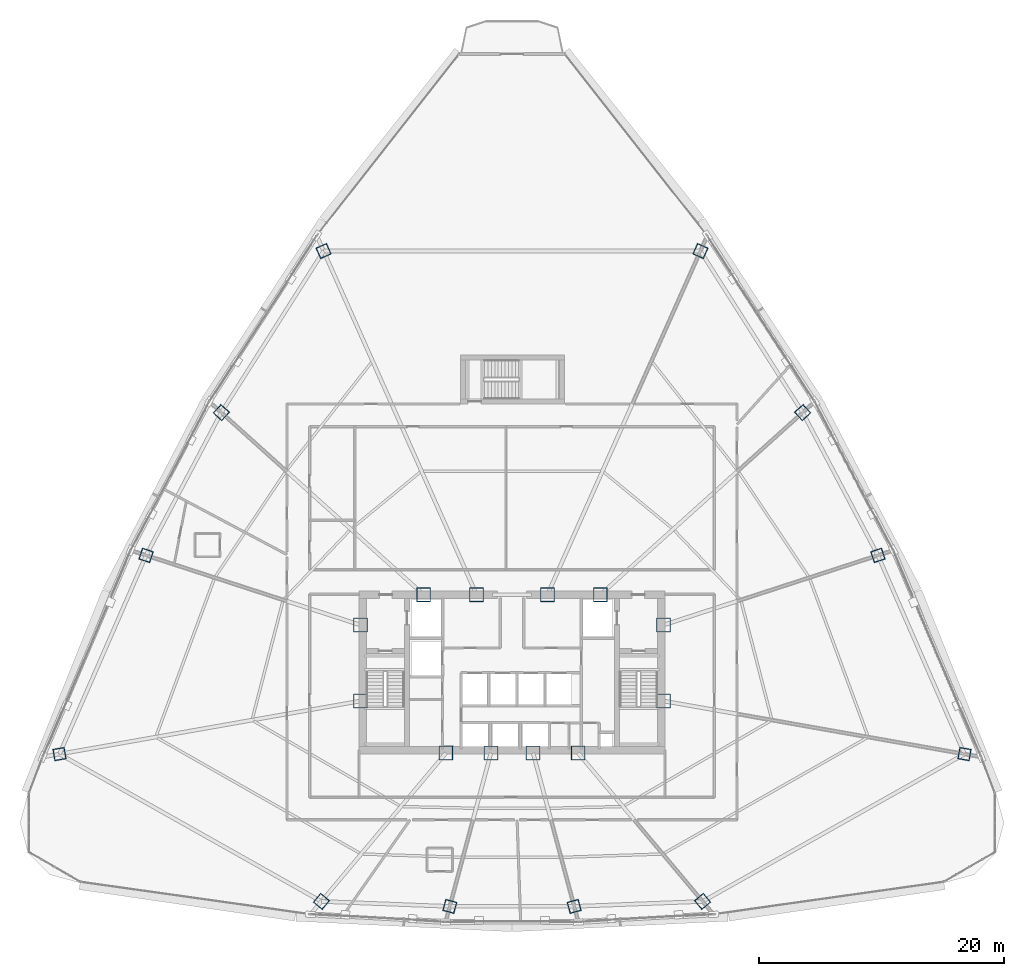
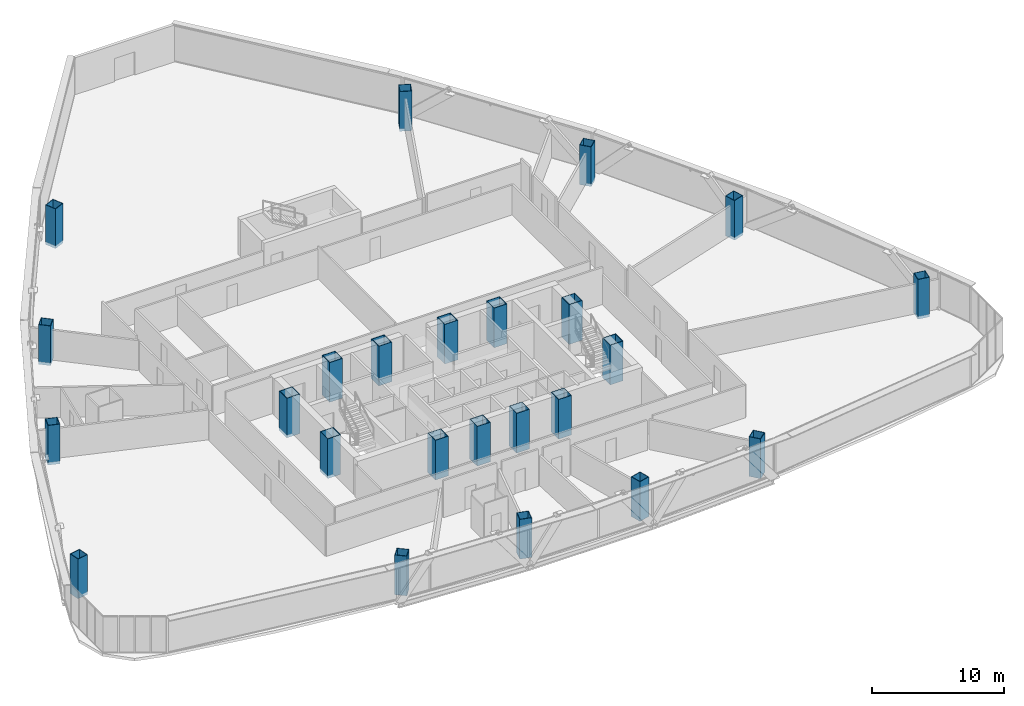
# One storey, part 1 of 40: 24 columns.
"""IFC4 building model written with IfcOpenShell, lengths in metres."""

from ifc_helpers import new_model, si_unit, direction, frame, origin, origin_2d, place, context, subcontext, project, spatial, hollow_rectangle, extrude, source, transform, mapped, material, material_profile, profile_set, type_object, element, save


model = new_model("IFC4")

# Units and contexts
model_context = context("Model", 3, precision=1e-05, world=origin(), true_north=direction((0.0, 1.0)))
body_context = subcontext(model_context, "Body", "Model", "MODEL_VIEW")
ifc_project = project(units=[si_unit("LENGTHUNIT", "METRE"), si_unit("AREAUNIT", "SQUARE_METRE"), si_unit("VOLUMEUNIT", "CUBIC_METRE"), si_unit("PLANEANGLEUNIT", "RADIAN"), si_unit("MASSUNIT", "GRAM", prefix="KILO"), si_unit("THERMODYNAMICTEMPERATUREUNIT", "KELVIN"), si_unit("POWERUNIT", "WATT")], contexts=[model_context])

# Site, building, storey
site_placement = place(None, origin())
site = spatial("IfcSite", under=ifc_project, at=site_placement, CompositionType="ELEMENT")
building_placement = place(site_placement, origin())
building = spatial("IfcBuilding", under=site, at=building_placement, Name="Yunzhuo Pagoda Commons", CompositionType="ELEMENT")
storey_placement = place(building_placement, frame((0.0, 0.0, 159.27001953125)))
storey = spatial("IfcBuildingStorey", under=building, at=storey_placement, Name="L40", CompositionType="ELEMENT", Elevation=159.27001953125)

# Columns
ifc_material = material(Name="Structural steel Q420B", Category="steel")
ifc_material_profile_1 = material_profile(ifc_material, hollow_rectangle(XDim=1.14990234375, YDim=1.14990234375, WallThickness=0.048095703125, at=origin_2d()), Name="Structural steel Q420B")
ifc_profile_set_1 = profile_set([ifc_material_profile_1], Name="Structural steel Q420B")
column_type_1 = type_object("IfcColumnType", Name="C-COR Column BOX 1150x1150x48", PredefinedType="COLUMN", material=ifc_profile_set_1)
shared_shape_1 = source(origin(), body_context, "Body", "SweptSolid", [
    extrude(hollow_rectangle(XDim=1.14990234375, YDim=1.14990234375, WallThickness=0.048095703125, at=origin_2d()), origin(), (0.0, 0.0, 1.0), 3.679931640625),
])
for number, where, z_axis, x_axis, name in (
    (1, (42.587890625, 27.25, -0.260009765625), (0.0, 0.0, 1.0), (1.0, 0.0, 0.0), "L40 core composite column F1C1"),
    (2, (46.27197265625, 27.25, -0.260009765625), (0.0, 0.0, 1.0), (1.0, 0.0, 0.0), "L40 core composite column F1C2"),
    (3, (49.728515625, 27.25, -0.260009765625), (0.0, 0.0, 1.0), (1.0, 0.0, 0.0), "L40 core composite column F1C3"),
    (4, (53.412109375, 27.25, -0.260009765625), (0.0, 0.0, 1.0), (1.0, 0.0, 0.0), "L40 core composite column F1C4"),
    (5, (60.39990234375, 31.513427734375, -0.260009765625), (0.0, 0.0, 1.0), (1.0, 0.0, 0.0), "L40 core composite column F2C1"),
    (6, (60.39990234375, 37.72900390625, -0.260009765625), (0.0, 0.0, 1.0), (1.0, 0.0, 0.0), "L40 core composite column F2C2"),
    (7, (55.218994140625, 40.199951171875, -0.260009765625), (0.0, 0.0, 1.0), (1.0, 0.0, 0.0), "L40 core composite column F2C3"),
    (8, (50.89404296875, 40.199951171875, -0.260009765625), (0.0, 0.0, 1.0), (1.0, 0.0, 0.0), "L40 core composite column F2C4"),
    (9, (45.10595703125, 40.199951171875, -0.260009765625), (0.0, 0.0, 1.0), (1.0, 0.0, 0.0), "L40 core composite column F3C1"),
    (10, (40.781005859375, 40.199951171875, -0.260009765625), (0.0, 0.0, 1.0), (1.0, 0.0, 0.0), "L40 core composite column F3C2"),
    (11, (35.60009765625, 37.72900390625, -0.260009765625), (0.0, 0.0, 1.0), (1.0, 0.0, 0.0), "L40 core composite column F3C3"),
    (12, (35.60009765625, 31.513427734375, -0.260009765625), (0.0, 0.0, 1.0), (1.0, 0.0, 0.0), "L40 core composite column F3C4"),
):
    element("IfcColumn", number, at=place(storey_placement, frame(where, z_axis=z_axis, x_axis=x_axis)), inside=storey, type_object=column_type_1, Name=name, PredefinedType="COLUMN", context=body_context, shape_type="MappedRepresentation", body=[
        mapped(shared_shape_1, transform((0.0, 0.0, 0.0), scale=1.0)),
    ])
ifc_material_profile_2 = material_profile(ifc_material, hollow_rectangle(XDim=0.949951171875, YDim=0.949951171875, WallThickness=0.0400390625, at=origin_2d()), Name="Structural steel Q420B")
ifc_profile_set_2 = profile_set([ifc_material_profile_2], Name="Structural steel Q420B")
column_type_2 = type_object("IfcColumnType", Name="C-Z3 Column BOX 950x950x40", PredefinedType="COLUMN", material=ifc_profile_set_2)
shared_shape_2 = source(origin(), body_context, "Body", "SweptSolid", [
    extrude(hollow_rectangle(XDim=0.949951171875, YDim=0.949951171875, WallThickness=0.0400390625, at=origin_2d()), origin(), (0.0, 0.0, 1.0), 3.679931640625),
])
for number, where, z_axis, x_axis, name in (
    (13, (32.414794921875, 15.126220703125, -0.260009765625), (0.0, 0.0, 1.0), (0.766044443119, -0.642787609687, 0.0), "L40 tower column F1C1"),
    (14, (42.914794921875, 14.7216796875, -0.260009765625), (0.0, 0.0, 1.0), (0.965925826289, -0.258819045103, 0.0), "L40 tower column F1C2"),
    (15, (53.085205078125, 14.7216796875, -0.260009765625), (0.0, 0.0, 1.0), (0.965925826289, 0.258819045103, 0.0), "L40 tower column F1C3"),
    (16, (63.585205078125, 15.126220703125, -0.260009765625), (0.0, 0.0, 1.0), (0.766044443119, 0.642787609687, 0.0), "L40 tower column F1C4"),
    (17, (84.9970703125, 27.176513671875, -0.260009765625), (0.0, 0.0, 1.0), (0.173648177667, 0.984807753012, 0.0), "L40 tower column F2C1"),
    (18, (77.915283203125, 43.420166015625, -0.260009765625), (0.0, 0.0, 1.0), (-0.309016994375, 0.951056516295, 0.0), "L40 tower column F2C2"),
    (19, (71.76611328125, 55.09912109375, -0.260009765625), (0.0, 0.0, 1.0), (-0.669130606359, 0.743144825477, 0.0), "L40 tower column F2C3"),
    (20, (63.406005859375, 68.302734375, -0.260009765625), (0.0, 0.0, 1.0), (-0.913545457643, 0.406736643076, 0.0), "L40 tower column F2C4"),
    (21, (32.593994140625, 68.302734375, -0.260009765625), (0.0, 0.0, 1.0), (-0.913545457643, -0.406736643076, 0.0), "L40 tower column F3C1"),
    (22, (24.23388671875, 55.09912109375, -0.260009765625), (0.0, 0.0, 1.0), (-0.669130606359, -0.743144825477, 0.0), "L40 tower column F3C2"),
    (23, (18.084716796875, 43.420166015625, -0.260009765625), (0.0, 0.0, 1.0), (-0.309016994375, -0.951056516295, 0.0), "L40 tower column F3C3"),
    (24, (11.0029296875, 27.176513671875, -0.260009765625), (0.0, 0.0, 1.0), (0.173648177667, -0.984807753012, 0.0), "L40 tower column F3C4"),
):
    element("IfcColumn", number, at=place(storey_placement, frame(where, z_axis=z_axis, x_axis=x_axis)), inside=storey, type_object=column_type_2, Name=name, PredefinedType="COLUMN", context=body_context, shape_type="MappedRepresentation", body=[
        mapped(shared_shape_2, transform((0.0, 0.0, 0.0), scale=1.0)),
    ])

save(model, "model.ifc")
